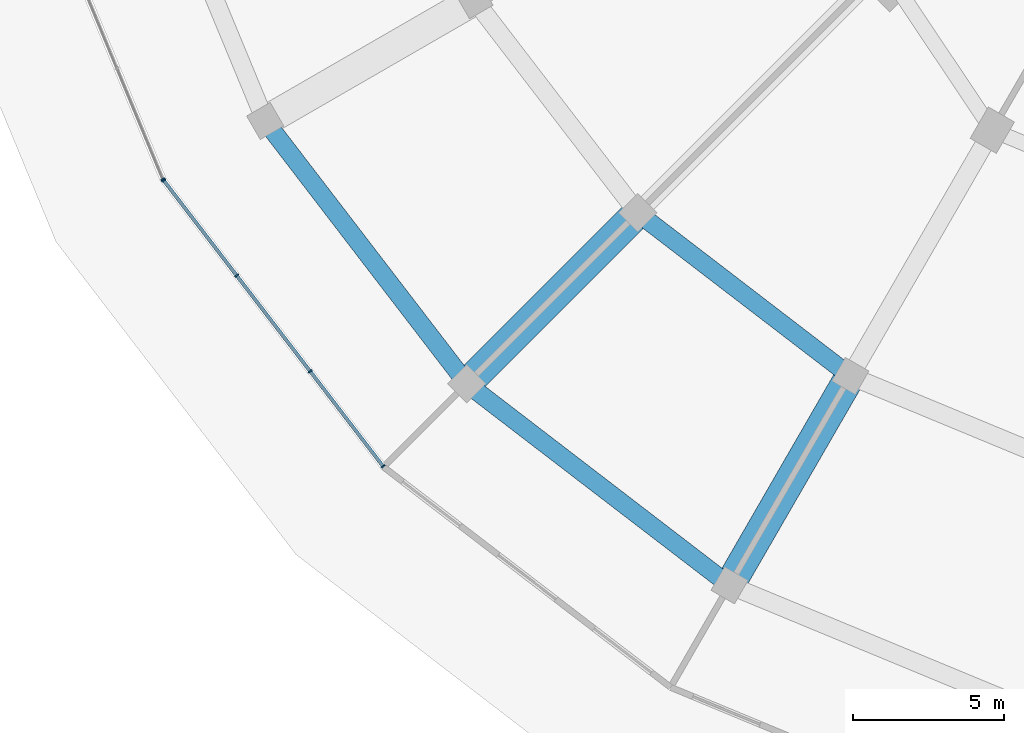
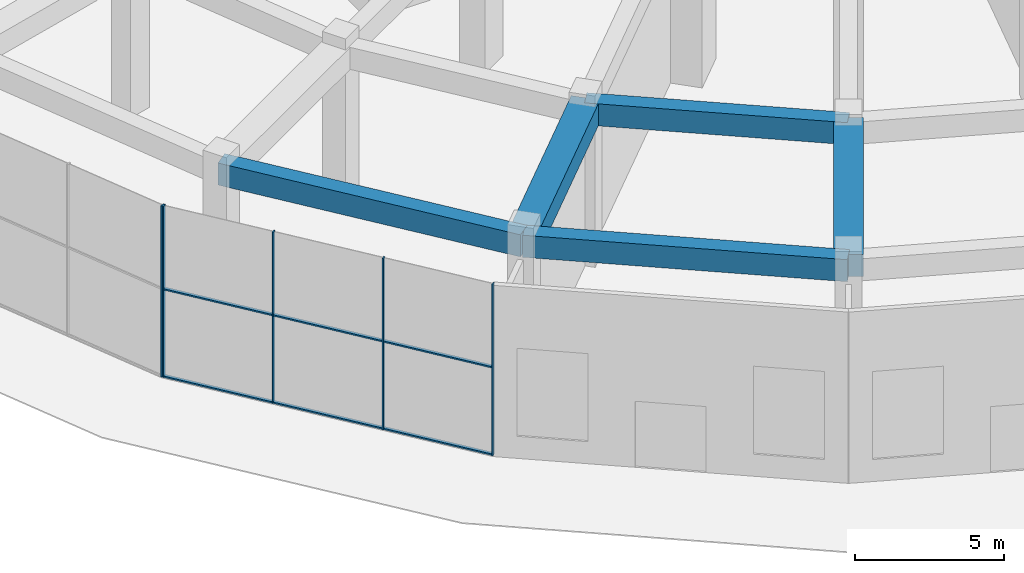
# One storey, part 4 of 31: 11 members, 5 beams, 2 elements without a shape of their own.
"""IFC4 building model written with IfcOpenShell, lengths in metres."""

import ifcopenshell
import ifcopenshell.guid

model = None  # the IFC model being written
_history = None  # IfcOwnerHistory: only IFC2X3 demands one
_inside = {}  # id of a spatial element -> (the spatial element, [elements in it])
_under = {}  # id of a project, library or spatial element -> (it, [spatial elements below it])
_declared = {}  # id of a project -> (the project, [libraries it declares])
_typed = {}  # id of a type object -> (the type object, [elements of that type])
_made_of = {}  # id of a material, layer set ... -> (it, [elements and type objects made of it])


def new_model(schema):
    """Start an empty IFC model of exactly this schema.

    Asked for "IFC4X3", IfcOpenShell would pick the latest addendum, in which some entities
    have other attributes; the version numbers below select the first issue.
    IFC2X3 requires an IfcOwnerHistory on every rooted entity: one is made here for all.
    """
    global model, _history
    if schema == "IFC4X3":
        model = ifcopenshell.file(schema_version=(4, 3, 0, 0))
    else:
        model = ifcopenshell.file(schema=schema)
    _inside.clear()
    _under.clear()
    _declared.clear()
    _typed.clear()
    _made_of.clear()
    _history = None
    if model.schema == "IFC2X3":
        org = make("IfcOrganization", Name="unknown")
        user = make(
            "IfcPersonAndOrganization",
            ThePerson=make("IfcPerson", FamilyName="unknown"),
            TheOrganization=org,
        )
        app = make(
            "IfcApplication",
            ApplicationDeveloper=org,
            Version="unknown",
            ApplicationFullName="unknown",
            ApplicationIdentifier="unknown",
        )
        _history = make(
            "IfcOwnerHistory",
            OwningUser=user,
            OwningApplication=app,
            ChangeAction="ADDED",
            CreationDate=0,
        )
    return model


def make(cls, **values):
    """One entity of the class cls with the attributes given. An attribute that is None is left unset."""
    return model.create_entity(
        cls, **{name: value for name, value in values.items() if value is not None}
    )


def rooted(cls, **values):
    """An entity with a GlobalId (a new one), such as an element, a storey or a relation."""
    return make(cls, GlobalId=ifcopenshell.guid.new(), OwnerHistory=_history, **values)


def si_unit(unit_type, name, prefix=None):
    """IfcSIUnit, for example si_unit("LENGTHUNIT", "METRE", prefix="MILLI")."""
    return make("IfcSIUnit", UnitType=unit_type, Prefix=prefix, Name=name)


def assignment(units):
    """IfcUnitAssignment: the units of a project."""
    return None if units is None else make("IfcUnitAssignment", Units=units)


def point(xyz):
    """IfcCartesianPoint."""
    return None if xyz is None else make("IfcCartesianPoint", Coordinates=xyz)


def direction(xyz):
    """IfcDirection."""
    return None if xyz is None else make("IfcDirection", DirectionRatios=xyz)


def frame(location, z_axis=None, x_axis=None):
    """IfcAxis2Placement3D, a coordinate frame: its origin and axes. An axis left out is left unset."""
    return make(
        "IfcAxis2Placement3D",
        Location=point(location),
        Axis=direction(z_axis),
        RefDirection=direction(x_axis),
    )


def frame_2d(location, x_axis=None):
    """IfcAxis2Placement2D, a coordinate frame in the plane: its origin and x axis."""
    return make(
        "IfcAxis2Placement2D", Location=point(location), RefDirection=direction(x_axis)
    )


def origin():
    """The frame at (0, 0, 0) with its axes left unset."""
    return frame((0.0, 0.0, 0.0))


def origin_2d():
    """The frame at (0, 0) in the plane with its x axis left unset."""
    return frame_2d((0.0, 0.0))


def place(relative_to, where):
    """IfcLocalPlacement: puts the frame where relative to a parent placement (None: the world)."""
    return make(
        "IfcLocalPlacement", PlacementRelTo=relative_to, RelativePlacement=where
    )


def context(
    kind, dimensions, precision=None, world=None, true_north=None, identifier=None
):
    """IfcGeometricRepresentationContext, for example the 3D "Model" context."""
    return make(
        "IfcGeometricRepresentationContext",
        ContextIdentifier=identifier,
        ContextType=kind,
        CoordinateSpaceDimension=dimensions,
        Precision=precision,
        WorldCoordinateSystem=world,
        TrueNorth=true_north,
    )


def subcontext(parent, identifier, kind, view, scale=None):
    """IfcGeometricRepresentationSubContext, for example "Body" below "Model"."""
    return make(
        "IfcGeometricRepresentationSubContext",
        ContextIdentifier=identifier,
        ContextType=kind,
        ParentContext=parent,
        TargetScale=scale,
        TargetView=view,
    )


def project(units=None, contexts=None):
    """IfcProject with its units and contexts."""
    return rooted(
        "IfcProject",
        Name="project",
        RepresentationContexts=contexts,
        UnitsInContext=assignment(units),
    )


def spatial(cls, under=None, at=None, **own):
    """A site, building, storey or space (cls), placed at a placement, below another one or the project."""
    s = rooted(cls, ObjectPlacement=at, **own)
    if under is not None:
        _under.setdefault(under.id(), (under, []))[1].append(s)
    return s


def profile(cls, at=None, kind="AREA", **sizes):
    """A parametric profile (cls). Its sizes go by their IFC names, for example OverallWidth=200.0."""
    return make(cls, ProfileType=kind, Position=at, **sizes)


def rectangle(**sizes):
    """IfcRectangleProfileDef."""
    return profile("IfcRectangleProfileDef", **sizes)


def extrude(swept, where, along, depth):
    """IfcExtrudedAreaSolid: the profile swept, set in the frame where, extruded along a direction by depth."""
    return make(
        "IfcExtrudedAreaSolid",
        SweptArea=swept,
        Position=where,
        ExtrudedDirection=direction(along),
        Depth=depth,
    )


def shape(context_of_items, identifier, shape_type, items):
    """IfcShapeRepresentation: the items that make up one representation, for example the "Body"."""
    return make(
        "IfcShapeRepresentation",
        ContextOfItems=context_of_items,
        RepresentationIdentifier=identifier,
        RepresentationType=shape_type,
        Items=items,
    )


def material(Name=None, Category=None):
    """IfcMaterial."""
    return make("IfcMaterial", Name=Name, Category=Category)


def layer(
    of_material, thickness, ventilated=None, Name=None, Category=None, Priority=None
):
    """IfcMaterialLayer: one layer of a wall or slab, of a material (None: an air gap)."""
    return make(
        "IfcMaterialLayer",
        Material=of_material,
        LayerThickness=thickness,
        IsVentilated=ventilated,
        Name=Name,
        Category=Category,
        Priority=Priority,
    )


def layer_set(layers, Name=None):
    """IfcMaterialLayerSet."""
    return make("IfcMaterialLayerSet", MaterialLayers=layers, LayerSetName=Name)


def material_profile(
    of_material, cross_section, Name=None, Category=None, Priority=None
):
    """IfcMaterialProfile: a cross section and its material."""
    return make(
        "IfcMaterialProfile",
        Name=Name,
        Material=of_material,
        Profile=cross_section,
        Priority=Priority,
        Category=Category,
    )


def profile_set(profiles, Name=None, composite=None):
    """IfcMaterialProfileSet."""
    return make(
        "IfcMaterialProfileSet",
        Name=Name,
        MaterialProfiles=profiles,
        CompositeProfile=composite,
    )


def made_of(thing, what):
    """Note that an element or type object is made of a material, layer set ...; save() writes the relation."""
    if what is not None:
        _made_of.setdefault(what.id(), (what, []))[1].append(thing)
    return thing


def type_object(cls, material=None, **own):
    """A type object (cls), such as IfcWallType, which elements share."""
    return made_of(rooted(cls, **own), material)


def element(
    cls,
    number,
    at=None,
    inside=None,
    cuts=None,
    type_object=None,
    material=None,
    context=None,
    identifier="Body",
    shape_type=None,
    held_by="IfcProductDefinitionShape",
    body=None,
    shapes=None,
    **own,
):
    """One element of the class cls, such as IfcWall. Its Tag is "e" and its number.

    at: its placement. inside: the storey or other place that contains it. cuts: it is an
    opening in that element (IfcRelVoidsElement). A single representation is given by context,
    identifier, shape_type and body (its items); several are given by shapes. held_by: the class
    of the entity that holds the representations. save() writes the other relations.
    """
    e = rooted(cls, Tag="e%d" % number, ObjectPlacement=at, **own)
    if body is not None:
        shapes = [shape(context, identifier, shape_type, body)]
    if shapes is not None:
        e.Representation = make(held_by, Representations=shapes)
    if inside is not None:
        _inside.setdefault(inside.id(), (inside, []))[1].append(e)
    if cuts is not None:
        rooted(
            "IfcRelVoidsElement", RelatingBuildingElement=cuts, RelatedOpeningElement=e
        )
    if type_object is not None:
        _typed.setdefault(type_object.id(), (type_object, []))[1].append(e)
    return made_of(e, material)


def aggregate(whole, parts):
    """IfcRelAggregates: a whole, such as a stair, and the parts it consists of."""
    return rooted("IfcRelAggregates", RelatingObject=whole, RelatedObjects=parts)


def save(model, path):
    """Write the relations noted so far, then the file.

    IfcRelAggregates (storeys below a building ...), IfcRelContainedInSpatialStructure (elements
    in a storey), IfcRelDefinesByType, IfcRelAssociatesMaterial and IfcRelDeclares: one each for
    every whole, place, type object, material and project.
    """
    for whole, parts in _under.values():
        aggregate(whole, parts)
    for where, things in _inside.values():
        rooted(
            "IfcRelContainedInSpatialStructure",
            RelatedElements=things,
            RelatingStructure=where,
        )
    for kind, things in _typed.values():
        rooted("IfcRelDefinesByType", RelatedObjects=things, RelatingType=kind)
    for what, things in _made_of.values():
        rooted("IfcRelAssociatesMaterial", RelatedObjects=things, RelatingMaterial=what)
    for by, libraries in _declared.values():
        rooted("IfcRelDeclares", RelatingContext=by, RelatedDefinitions=libraries)
    model.write(path)


model = new_model("IFC4")

# Units and contexts
model_context = context("Model", 3, precision=1e-05, world=origin(), true_north=direction((0.0, 1.0)))
body_context = subcontext(model_context, "Body", "Model", "MODEL_VIEW")
ifc_project = project(units=[si_unit("LENGTHUNIT", "METRE"), si_unit("AREAUNIT", "SQUARE_METRE"), si_unit("VOLUMEUNIT", "CUBIC_METRE"), si_unit("PLANEANGLEUNIT", "RADIAN"), si_unit("MASSUNIT", "GRAM", prefix="KILO")], contexts=[model_context])

# Site, building, storey
site_placement = place(None, origin())
site = spatial("IfcSite", under=ifc_project, at=site_placement, CompositionType="ELEMENT")
building_placement = place(site_placement, origin())
building = spatial("IfcBuilding", under=site, at=building_placement, Name="Torre Brocal", CompositionType="ELEMENT")
storey_placement = place(building_placement, origin())
storey = spatial("IfcBuildingStorey", under=building, at=storey_placement, Name="L00", CompositionType="ELEMENT", Elevation=0.0)

# Curtain wall, member
ifc_material_1 = material(Name="Aluminium and glass", Category="aluminium")
ifc_layer = layer(ifc_material_1, 0.199951171875)
ifc_layer_set = layer_set([ifc_layer], Name="Aluminium and glass")
curtain_wall_type = type_object("IfcCurtainWallType", Name="CW-3 CURTAIN WALL 7000 HIGH", PredefinedType="NOTDEFINED", material=ifc_layer_set)
curtain_wall_1_placement = place(storey_placement, origin())
curtain_wall_1 = element("IfcCurtainWall", 1, at=curtain_wall_1_placement, inside=storey, type_object=curtain_wall_type, Name="CW-3 RUN 14", PredefinedType="NOTDEFINED")
ifc_material_2 = material(Name="Aluminium, dark anodised", Category="aluminium")
ifc_material_profile_1 = material_profile(ifc_material_2, rectangle(XDim=0.14990234375, YDim=0.050048828125, at=origin_2d()), Name="CW-3 MULLION 50X150")
ifc_profile_set_1 = profile_set([ifc_material_profile_1], Name="Aluminium, dark anodised")
member_type_1 = type_object("IfcMemberType", Name="CW-3 MULLION 50X150", PredefinedType="MULLION", material=ifc_profile_set_1)
member_1_placement = place(storey_placement, frame((40.24072265625, 52.073486328125, 0.0), z_axis=(0.0, 0.0, 1.0), x_axis=(0.923879532525, 0.382683432333, 0.0)))
member_1 = element("IfcMember", 2, at=member_1_placement, type_object=member_type_1, Name="CW3-1 mullion 4", PredefinedType="MULLION", context=body_context, shape_type="SweptSolid", body=[
    extrude(rectangle(XDim=0.14990234375, YDim=0.050048828125, at=origin_2d()), origin(), (0.0, 0.0, 1.0), 7.0),
])
aggregate(curtain_wall_1, [member_1])

# Curtain wall, members
curtain_wall_2_placement = place(storey_placement, origin())
curtain_wall_2 = element("IfcCurtainWall", 3, at=curtain_wall_2_placement, inside=storey, type_object=curtain_wall_type, Name="CW-3 RUN 15", PredefinedType="NOTDEFINED")
member_2_placement = place(storey_placement, frame((40.265380859375, 52.030517578125, 0.0), z_axis=(0.0, 0.0, 1.0), x_axis=(0.793353340291, 0.608761429009, 0.0)))
member_2 = element("IfcMember", 4, at=member_2_placement, type_object=member_type_1, Name="CW3-1 mullion 1", PredefinedType="MULLION", context=body_context, shape_type="SweptSolid", body=[
    extrude(rectangle(XDim=0.14990234375, YDim=0.050048828125, at=origin_2d()), origin(), (0.0, 0.0, 1.0), 7.0),
])
member_3_placement = place(storey_placement, frame((42.681640625, 48.8818359375, 0.0), z_axis=(0.0, 0.0, 1.0), x_axis=(0.793353340291, 0.608761429009, 0.0)))
member_3 = element("IfcMember", 5, at=member_3_placement, type_object=member_type_1, Name="CW3-1 mullion 2", PredefinedType="MULLION", context=body_context, shape_type="SweptSolid", body=[
    extrude(rectangle(XDim=0.14990234375, YDim=0.050048828125, at=origin_2d()), origin(), (0.0, 0.0, 1.0), 7.0),
])
member_4_placement = place(storey_placement, frame((45.113037109375, 45.713134765625, 0.0), z_axis=(0.0, 0.0, 1.0), x_axis=(0.793353340291, 0.608761429009, 0.0)))
member_4 = element("IfcMember", 6, at=member_4_placement, type_object=member_type_1, Name="CW3-1 mullion 3", PredefinedType="MULLION", context=body_context, shape_type="SweptSolid", body=[
    extrude(rectangle(XDim=0.14990234375, YDim=0.050048828125, at=origin_2d()), origin(), (0.0, 0.0, 1.0), 7.0),
])
member_5_placement = place(storey_placement, frame((47.529296875, 42.564208984375, 0.0), z_axis=(0.0, 0.0, 1.0), x_axis=(0.793353340291, 0.608761429009, 0.0)))
member_5 = element("IfcMember", 7, at=member_5_placement, type_object=member_type_1, Name="CW3-1 mullion 4", PredefinedType="MULLION", context=body_context, shape_type="SweptSolid", body=[
    extrude(rectangle(XDim=0.14990234375, YDim=0.050048828125, at=origin_2d()), origin(), (0.0, 0.0, 1.0), 7.0),
])
ifc_material_3 = material(Name="Aluminium, dark anodised", Category="aluminium")
ifc_material_profile_2 = material_profile(ifc_material_3, rectangle(XDim=0.1201171875, YDim=0.06005859375, at=origin_2d()), Name="CW-3 TRANSOM 120X60")
ifc_profile_set_2 = profile_set([ifc_material_profile_2], Name="Aluminium, dark anodised")
member_type_2 = type_object("IfcMemberType", Name="CW-3 TRANSOM 120X60", PredefinedType="USERDEFINED", material=ifc_profile_set_2)
member_6_placement = place(storey_placement, frame((40.280517578125, 52.0107421875, 0.030029296875), z_axis=(0.60876498961, -0.793350608133, 0.0), x_axis=(0.793350608133, 0.60876498961, 0.0)))
member_6 = element("IfcMember", 8, at=member_6_placement, type_object=member_type_2, Name="CW3-1 transom 1.1", ObjectType="TRANSOM", PredefinedType="USERDEFINED", context=body_context, shape_type="SweptSolid", body=[
    extrude(rectangle(XDim=0.1201171875, YDim=0.06005859375, at=origin_2d()), origin(), (0.0, 0.0, 1.0), 3.9189453125),
])
member_7_placement = place(storey_placement, frame((40.280517578125, 52.0107421875, 3.60009765625), z_axis=(0.60876498961, -0.793350608133, 0.0), x_axis=(0.793350608133, 0.60876498961, 0.0)))
member_7 = element("IfcMember", 9, at=member_7_placement, type_object=member_type_2, Name="CW3-1 transom 1.2", ObjectType="TRANSOM", PredefinedType="USERDEFINED", context=body_context, shape_type="SweptSolid", body=[
    extrude(rectangle(XDim=0.1201171875, YDim=0.06005859375, at=origin_2d()), origin(), (0.0, 0.0, 1.0), 3.9189453125),
])
member_8_placement = place(storey_placement, frame((42.69677734375, 48.86181640625, 0.030029296875), z_axis=(0.608797947539, -0.793325317302, 0.0), x_axis=(0.793325317302, 0.608797947539, 0.0)))
member_8 = element("IfcMember", 10, at=member_8_placement, type_object=member_type_2, Name="CW3-1 transom 2.1", ObjectType="TRANSOM", PredefinedType="USERDEFINED", context=body_context, shape_type="SweptSolid", body=[
    extrude(rectangle(XDim=0.1201171875, YDim=0.06005859375, at=origin_2d()), origin(), (0.0, 0.0, 1.0), 3.944091796875),
])
member_9_placement = place(storey_placement, frame((42.69677734375, 48.86181640625, 3.60009765625), z_axis=(0.608797947539, -0.793325317302, 0.0), x_axis=(0.793325317302, 0.608797947539, 0.0)))
member_9 = element("IfcMember", 11, at=member_9_placement, type_object=member_type_2, Name="CW3-1 transom 2.2", ObjectType="TRANSOM", PredefinedType="USERDEFINED", context=body_context, shape_type="SweptSolid", body=[
    extrude(rectangle(XDim=0.1201171875, YDim=0.06005859375, at=origin_2d()), origin(), (0.0, 0.0, 1.0), 3.944091796875),
])
member_10_placement = place(storey_placement, frame((45.128173828125, 45.693359375, 0.030029296875), z_axis=(0.60873490351, -0.793373693318, 0.0), x_axis=(0.793373693318, 0.60873490351, 0.0)))
member_10 = element("IfcMember", 12, at=member_10_placement, type_object=member_type_2, Name="CW3-1 transom 3.1", ObjectType="TRANSOM", PredefinedType="USERDEFINED", context=body_context, shape_type="SweptSolid", body=[
    extrude(rectangle(XDim=0.1201171875, YDim=0.06005859375, at=origin_2d()), origin(), (0.0, 0.0, 1.0), 3.919189453125),
])
member_11_placement = place(storey_placement, frame((45.128173828125, 45.693359375, 3.60009765625), z_axis=(0.60873490351, -0.793373693318, 0.0), x_axis=(0.793373693318, 0.60873490351, 0.0)))
member_11 = element("IfcMember", 13, at=member_11_placement, type_object=member_type_2, Name="CW3-1 transom 3.2", ObjectType="TRANSOM", PredefinedType="USERDEFINED", context=body_context, shape_type="SweptSolid", body=[
    extrude(rectangle(XDim=0.1201171875, YDim=0.06005859375, at=origin_2d()), origin(), (0.0, 0.0, 1.0), 3.919189453125),
])
aggregate(curtain_wall_2, [member_2, member_3, member_4, member_5, member_6, member_7, member_8, member_9, member_10, member_11])

# Beams
ifc_material_4 = material(Name="Concrete C50", Category="concrete")
ifc_material_profile_3 = material_profile(ifc_material_4, rectangle(XDim=0.60009765625, YDim=0.89990234375, at=origin_2d()), Name="RC 600X900")
ifc_profile_set_3 = profile_set([ifc_material_profile_3], Name="Concrete C50")
beam_type_1 = type_object("IfcBeamType", Name="RC BEAM 600X900 C50 TOP 6550", PredefinedType="BEAM", material=ifc_profile_set_3)
for number, where, z_axis, x_axis, name in (
    (14, (43.626953125, 54.0, 6.10009765625), (0.608760122032, -0.793354343168, 0.0), (0.793354343168, 0.608760122032, 0.0), "Beam BT-07"),
    (15, (50.301513671875, 45.301513671875, 6.10009765625), (0.793354343168, -0.608760122032, 0.0), (0.608760122032, 0.793354343168, 0.0), "Beam BT-07"),
):
    element("IfcBeam", number, at=place(storey_placement, frame(where, z_axis=z_axis, x_axis=x_axis)), inside=storey, type_object=beam_type_1, Name=name, PredefinedType="BEAM", context=body_context, shape_type="SweptSolid", body=[
        extrude(rectangle(XDim=0.60009765625, YDim=0.89990234375, at=origin_2d()), origin(), (0.0, 0.0, 1.0), 10.964111328125),
    ])
beam_1_placement = place(storey_placement, frame((55.958251953125, 50.958251953125, 6.10009765625), z_axis=(0.793366788253, -0.608743902882, 0.0), x_axis=(0.608743902882, 0.793366788253, 0.0)))
element("IfcBeam", 16, at=beam_1_placement, inside=storey, type_object=beam_type_1, Name="Beam BT-07", PredefinedType="BEAM", context=body_context, shape_type="SweptSolid", body=[
    extrude(rectangle(XDim=0.60009765625, YDim=0.89990234375, at=origin_2d()), origin(), (0.0, 0.0, 1.0), 8.875732421875),
])
ifc_material_5 = material(Name="Concrete C60", Category="concrete")
ifc_material_profile_4 = material_profile(ifc_material_5, rectangle(XDim=1.0, YDim=0.89990234375, at=origin_2d()), Name="RC 1000X900")
ifc_profile_set_4 = profile_set([ifc_material_profile_4], Name="Concrete C60")
beam_type_2 = type_object("IfcBeamType", Name="RC TRANSFER GIRDER 1000X900 C60 TOP 6550", PredefinedType="BEAM", material=ifc_profile_set_4)
beam_2_placement = place(storey_placement, frame((55.958251953125, 50.958251953125, 6.10009765625), z_axis=(-0.707106781187, -0.707106781187, 0.0), x_axis=(0.707106781187, -0.707106781187, 0.0)))
element("IfcBeam", 17, at=beam_2_placement, inside=storey, type_object=beam_type_2, Name="Beam TG-01", PredefinedType="BEAM", context=body_context, shape_type="SweptSolid", body=[
    extrude(rectangle(XDim=1.0, YDim=0.89990234375, at=origin_2d()), origin(), (0.0, 0.0, 1.0), 7.999755859375),
])
beam_3_placement = place(storey_placement, frame((63.0, 45.55517578125, 6.10009765625), z_axis=(-0.49999894854, -0.866026010844, 0.0), x_axis=(0.866026010844, -0.49999894854, 0.0)))
element("IfcBeam", 18, at=beam_3_placement, inside=storey, type_object=beam_type_2, Name="Beam TG-01", PredefinedType="BEAM", context=body_context, shape_type="SweptSolid", body=[
    extrude(rectangle(XDim=1.0, YDim=0.89990234375, at=origin_2d()), origin(), (0.0, 0.0, 1.0), 8.0),
])

save(model, "model.ifc")
